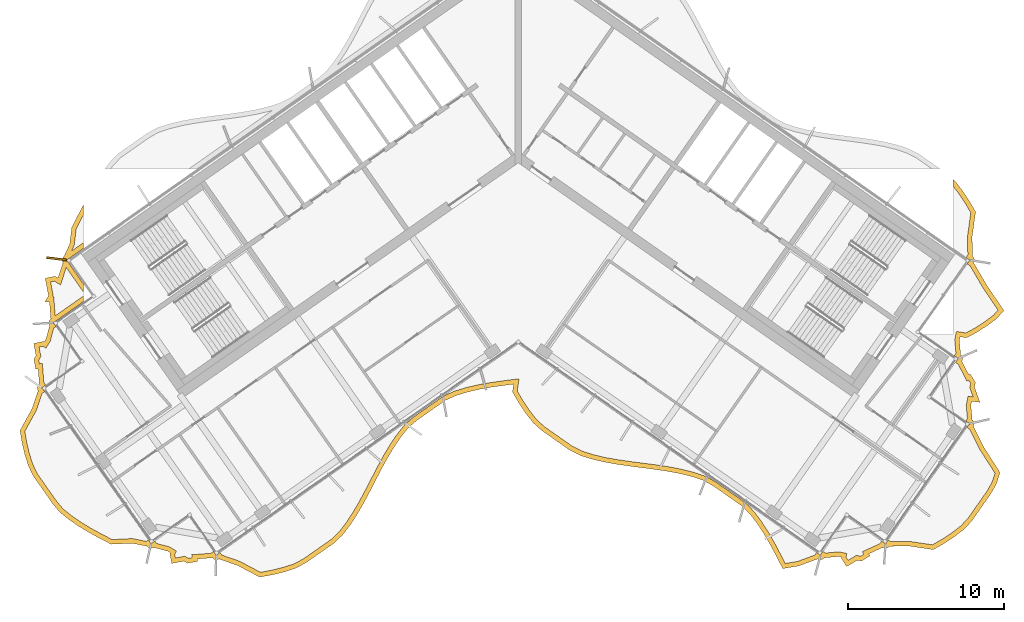
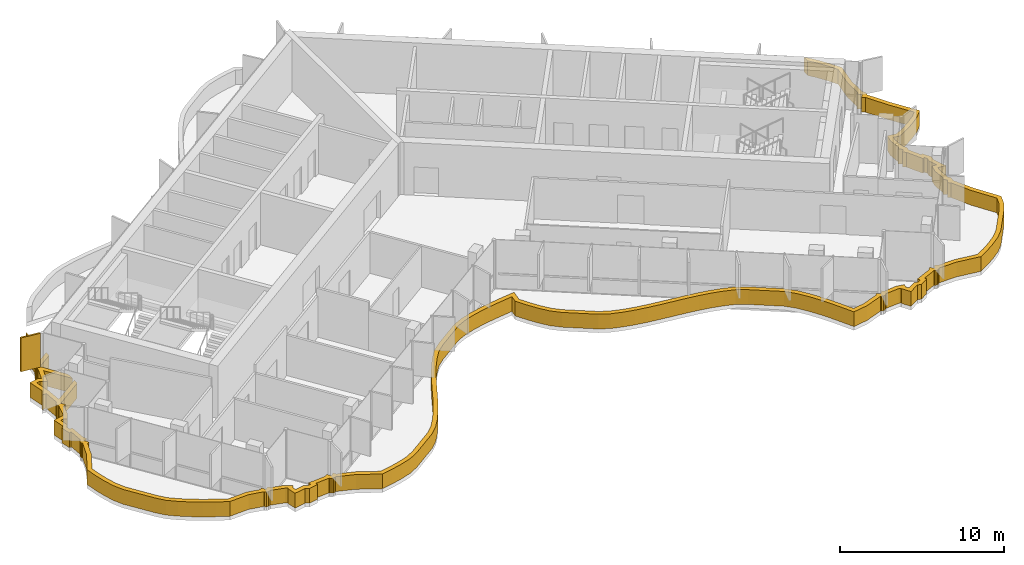
# One storey, part 14 of 18: 2 shading devices.
"""IFC4 building model written with IfcOpenShell, lengths in metres."""

from ifc_helpers import new_model, si_unit, direction, frame, origin, origin_2d, place, context, subcontext, project, spatial, polyline, rectangle, outline, extrude, material, layer, layer_set, type_object, element, save


model = new_model("IFC4")

# Units and contexts
model_context = context("Model", 3, precision=1e-05, world=origin(), true_north=direction((0.0, 1.0)))
body_context = subcontext(model_context, "Body", "Model", "MODEL_VIEW")
ifc_project = project(units=[si_unit("LENGTHUNIT", "METRE"), si_unit("AREAUNIT", "SQUARE_METRE"), si_unit("VOLUMEUNIT", "CUBIC_METRE"), si_unit("PLANEANGLEUNIT", "RADIAN"), si_unit("MASSUNIT", "GRAM", prefix="KILO")], contexts=[model_context])

# Site, building, storey
site_placement = place(None, origin())
site = spatial("IfcSite", under=ifc_project, at=site_placement, CompositionType="ELEMENT")
building_placement = place(site_placement, origin())
building = spatial("IfcBuilding", under=site, at=building_placement, Name="Tel Ilan Convention Tower", CompositionType="ELEMENT")
storey_placement = place(building_placement, frame((0.0, 0.0, 303.39990234375)))
storey = spatial("IfcBuildingStorey", under=building, at=storey_placement, Name="L72", CompositionType="ELEMENT", Elevation=303.39990234375)

# Shading devices
ifc_material_1 = material(Name="Aluminium, bronze anodised", Category="aluminium")
ifc_layer_1 = layer(ifc_material_1, 0.1201171875)
ifc_layer_set_1 = layer_set([ifc_layer_1], Name="FIN BRONZE 1300x120")
shading_device_type_1 = type_object("IfcShadingDeviceType", Name="FIN BRONZE 1300x120", PredefinedType="USERDEFINED", material=ifc_layer_set_1)
shading_device_1_placement = place(storey_placement, frame((-29.60595703125, -7.376953125, 1.10009765625), z_axis=(0.0, 0.0, 1.0), x_axis=(-0.992066016082, 0.125718016748, 0.0)))
element("IfcShadingDevice", 1, at=shading_device_1_placement, inside=storey, type_object=shading_device_type_1, Name="FIN", ObjectType="FIN", PredefinedType="USERDEFINED", context=body_context, shape_type="SweptSolid", body=[
    extrude(rectangle(XDim=1.300048828125, YDim=0.1201171875, at=origin_2d()), origin(), (0.0, 0.0, 1.0), 2.52001953125),
])
ifc_material_2 = material(Name="Aluminium, bronze anodised", Category="aluminium")
ifc_layer_2 = layer(ifc_material_2, 0.300048828125)
ifc_layer_set_2 = layer_set([ifc_layer_2], Name="LOUVRE BAND 300x1100")
shading_device_type_2 = type_object("IfcShadingDeviceType", Name="LOUVRE BAND 300x1100", PredefinedType="USERDEFINED", material=ifc_layer_set_2)
shading_device_2_placement = place(storey_placement, origin())
element("IfcShadingDevice", 2, at=shading_device_2_placement, inside=storey, type_object=shading_device_type_2, Name="LOUVRE BAND 54.01", ObjectType="LOUVRE", PredefinedType="USERDEFINED", context=body_context, shape_type="SweptSolid", body=[
    extrude(outline(polyline([(-31.176513671875, -16.968505859375), (-31.955078125, -18.389892578125), (-31.82470703125, -19.17431640625), (-31.646728515625, -19.92578125), (-31.42236328125, -20.644775390625), (-31.108154296875, -21.301025390625), (-29.873291015625, -23.064697265625), (-29.4140625, -23.619140625), (-28.832275390625, -24.087890625), (-28.201171875, -24.52197265625), (-27.530029296875, -24.92822265625), (-26.829833984375, -25.31396484375), (-26.1044921875, -25.68212890625), (-24.7607421875, -25.617431640625), (-23.79052734375, -25.81396484375), (-23.761474609375, -25.857421875), (-23.6640625, -25.92236328125), (-23.54931640625, -25.9453125), (-23.4345703125, -25.92236328125), (-23.380615234375, -25.88623046875), (-22.478759765625, -26.1279296875), (-22.322998046875, -26.222900390625), (-22.353271484375, -26.272705078125), (-22.220703125, -26.912353515625), (-21.43505859375, -26.76416015625), (-21.201171875, -26.90673828125), (-20.5615234375, -26.77392578125), (-20.58935546875, -26.627197265625), (-19.6123046875, -26.55078125), (-19.583251953125, -26.593994140625), (-19.486083984375, -26.6591796875), (-19.37109375, -26.681884765625), (-19.25634765625, -26.6591796875), (-19.202392578125, -26.623046875), (-18.00830078125, -27.0400390625), (-16.57958984375, -27.7919921875), (-15.780029296875, -27.645263671875), (-15.009521484375, -27.45751953125), (-14.274169921875, -27.219482421875), (-13.616943359375, -26.86962890625), (-11.80078125, -25.597900390625), (-11.26025390625, -25.08154296875), (-10.789306640625, -24.465576171875), (-10.352783203125, -23.800537109375), (-9.943359375, -23.09716796875), (-9.552001953125, -22.367431640625), (-8.785888671875, -20.885009765625), (-8.39111328125, -20.160400390625), (-7.97607421875, -19.464599609375), (-7.532470703125, -18.81005859375), (-7.052734375, -18.20654296875), (-6.48681640625, -17.7265625), (-4.670654296875, -16.454833984375), (-3.987060546875, -16.142822265625), (-3.242919921875, -15.9169921875), (-2.46533203125, -15.739501953125), (-1.66162109375, -15.598876953125), (-0.30078125, -15.41357421875), (-0.370361328125, -15.923828125), (0.041015625, -16.624755859375), (0.481201171875, -17.28466796875), (0.956298828125, -17.894287109375), (1.509765625, -18.392333984375), (3.325927734375, -19.663818359375), (3.99609375, -19.9951171875), (4.73583984375, -20.22705078125), (5.510009765625, -20.40966796875), (6.311279296875, -20.553955078125), (7.130615234375, -20.672119140625), (8.785888671875, -20.885009765625), (9.601806640625, -21.008056640625), (10.3974609375, -21.16015625), (11.16455078125, -21.353271484375), (11.8955078125, -21.59765625), (12.540283203125, -21.965087890625), (14.356201171875, -23.23681640625), (14.88330078125, -23.7724609375), (15.349853515625, -24.39453125), (15.782958984375, -25.064453125), (16.18994140625, -25.771728515625), (16.57958984375, -26.50341796875), (16.96240234375, -27.2451171875), (17.983642578125, -27.074951171875), (19.202392578125, -26.623046875), (19.25634765625, -26.6591796875), (19.37109375, -26.681884765625), (19.486083984375, -26.6591796875), (19.583251953125, -26.593994140625), (19.6123046875, -26.55078125), (20.542236328125, -26.469482421875), (20.72119140625, -26.50537109375), (20.709716796875, -26.5625), (21.052978515625, -27.1181640625), (21.740478515625, -26.710205078125), (22.00927734375, -26.76416015625), (22.564697265625, -26.420654296875), (22.488525390625, -26.292236328125), (23.380615234375, -25.88623046875), (23.4345703125, -25.92236328125), (23.54931640625, -25.9453125), (23.6640625, -25.92236328125), (23.761474609375, -25.857421875), (23.79052734375, -25.81396484375), (25.015625, -25.789306640625), (26.617919921875, -26.0283203125), (27.311767578125, -25.631591796875), (27.9609375, -25.203369140625), (28.5625, -24.741943359375), (29.068603515625, -24.213623046875), (30.31298828125, -22.436767578125), (30.669189453125, -21.803466796875), (30.8984375, -21.081298828125), (29.872314453125, -19.47998046875), (29.18212890625, -18.114013671875), (29.218017578125, -18.06005859375), (29.240966796875, -17.9453125), (29.218017578125, -17.830322265625), (29.153076171875, -17.733154296875), (29.10986328125, -17.7041015625), (29.028564453125, -16.774169921875), (29.080322265625, -16.5166015625), (29.61181640625, -16.583740234375), (29.26171875, -15.613037109375), (29.3232421875, -15.30712890625), (28.979736328125, -14.751708984375), (28.889404296875, -14.80517578125), (28.4453125, -13.935791015625), (28.4814453125, -13.8818359375), (28.504150390625, -13.76708984375), (28.4814453125, -13.652099609375), (28.416259765625, -13.554931640625), (28.373046875, -13.52587890625), (28.291748046875, -12.595947265625), (28.33642578125, -12.373291015625), (28.752685546875, -12.44189453125), (29.445068359375, -12.072265625), (30.077880859375, -11.660888671875), (30.66748046875, -11.218994140625), (31.151123046875, -10.703125), (30.056640625, -9.082275390625), (29.199951171875, -7.6279296875), (29.236083984375, -7.57373046875), (29.2587890625, -7.458984375), (29.236083984375, -7.34423828125), (29.1708984375, -7.246826171875), (29.127685546875, -7.218017578125), (29.10986328125, -5.95947265625), (29.331298828125, -4.35888671875), (28.922119140625, -3.659423828125), (28.48388671875, -3.001220703125), (28.0107421875, -2.392822265625), (27.874755859375, -2.269287109375), (27.874755859375, -2.70654296875), (28.240234375, -3.176513671875), (28.66748046875, -3.818359375), (29.02001953125, -4.420654296875), (28.809326171875, -5.941162109375), (28.829345703125, -7.12109375), (28.713134765625, -7.286865234375), (28.958740234375, -7.458984375), (28.787353515625, -7.705322265625), (28.97900390625, -7.83935546875), (29.802734375, -9.2421875), (30.7685546875, -10.672607421875), (30.466552734375, -10.99462890625), (29.906005859375, -11.414794921875), (29.292236328125, -11.813720703125), (28.701171875, -12.12939453125), (28.099365234375, -12.0302734375), (27.989013671875, -12.579833984375), (28.067626953125, -13.439208984375), (27.95849609375, -13.594970703125), (28.204345703125, -13.76708984375), (28.03271484375, -14.01318359375), (28.21630859375, -14.141845703125), (28.766845703125, -15.226806640625), (28.87939453125, -15.159912109375), (29.005859375, -15.3642578125), (28.951171875, -15.635986328125), (29.163330078125, -16.224853515625), (28.841064453125, -16.18408203125), (28.725830078125, -16.758056640625), (28.80419921875, -17.617431640625), (28.6953125, -17.773193359375), (28.94091796875, -17.9453125), (28.76953125, -18.19140625), (28.95263671875, -18.319580078125), (29.611328125, -19.62890625), (30.56982421875, -21.12451171875), (30.392578125, -21.68310546875), (30.05859375, -22.276611328125), (28.836181640625, -24.022705078125), (28.36181640625, -24.517822265625), (27.78662109375, -24.958740234375), (27.154541015625, -25.3759765625), (26.559326171875, -25.71630859375), (25.034423828125, -25.48876953125), (23.886474609375, -25.51513671875), (23.721435546875, -25.3994140625), (23.54931640625, -25.645263671875), (23.30322265625, -25.473876953125), (23.1787109375, -25.6513671875), (22.059326171875, -26.156982421875), (22.156494140625, -26.320556640625), (21.9521484375, -26.44677734375), (21.6865234375, -26.393310546875), (21.1533203125, -26.709716796875), (21.027099609375, -26.505615234375), (21.07421875, -26.2705078125), (20.558349609375, -26.166748046875), (19.698974609375, -26.245361328125), (19.543212890625, -26.13623046875), (19.37109375, -26.382080078125), (19.125, -26.21044921875), (19.00732421875, -26.378662109375), (17.90673828125, -26.78369140625), (17.12890625, -26.913330078125), (16.452392578125, -25.626220703125), (16.0390625, -24.908203125), (15.59619140625, -24.222900390625), (15.111328125, -23.576416015625), (14.55078125, -23.0068359375), (12.700927734375, -21.71142578125), (12.0185546875, -21.322509765625), (11.248779296875, -21.06494140625), (10.46240234375, -20.866943359375), (9.65234375, -20.712158203125), (8.827392578125, -20.587890625), (7.171142578125, -20.374755859375), (6.359375, -20.2578125), (5.571044921875, -20.11572265625), (4.815185546875, -19.9375), (4.108154296875, -19.7158203125), (3.479248046875, -19.405029296875), (1.697021484375, -18.156982421875), (1.1767578125, -17.68896484375), (0.724609375, -17.10888671875), (0.29541015625, -16.465576171875), (-0.05908203125, -15.861328125), (0.04931640625, -15.06640625), (-0.880615234375, -15.185546875), (-1.708251953125, -15.302490234375), (-2.5244140625, -15.4453125), (-3.320068359375, -15.626953125), (-4.09326171875, -15.861572265625), (-4.8203125, -16.193359375), (-6.670166015625, -17.48876953125), (-7.269287109375, -17.996826171875), (-7.7744140625, -18.632080078125), (-8.229248046875, -19.303466796875), (-8.65185546875, -20.01171875), (-9.05078125, -20.744384765625), (-9.817626953125, -22.227783203125), (-10.205322265625, -22.95068359375), (-10.608154296875, -23.642822265625), (-11.0341796875, -24.2919921875), (-11.484375, -24.880859375), (-11.991455078125, -25.365234375), (-13.77392578125, -26.61328125), (-14.3916015625, -26.942138671875), (-15.09130859375, -27.168701171875), (-15.8427734375, -27.351806640625), (-16.531494140625, -27.478271484375), (-17.888671875, -26.763916015625), (-19.009033203125, -26.3759765625), (-19.125, -26.21044921875), (-19.37109375, -26.382080078125), (-19.543212890625, -26.13623046875), (-19.721435546875, -26.260986328125), (-20.9462890625, -26.353271484375), (-20.910888671875, -26.5400390625), (-21.146240234375, -26.5888671875), (-21.37744140625, -26.447998046875), (-21.98681640625, -26.562744140625), (-22.03564453125, -26.32763671875), (-21.91064453125, -26.122802734375), (-22.360107421875, -25.84912109375), (-23.194580078125, -25.62890625), (-23.30322265625, -25.473876953125), (-23.54931640625, -25.645263671875), (-23.721435546875, -25.3994140625), (-23.861083984375, -25.497314453125), (-24.737060546875, -25.31591796875), (-26.03955078125, -25.378662109375), (-26.689453125, -25.048828125), (-27.3798828125, -24.66845703125), (-28.038330078125, -24.27001953125), (-28.65283203125, -23.84716796875), (-29.202392578125, -23.404541015625), (-29.634521484375, -22.882568359375), (-30.84814453125, -21.149169921875), (-31.142333984375, -20.534912109375), (-31.357177734375, -19.846435546875), (-31.5302734375, -19.115234375), (-31.64208984375, -18.44287109375), (-30.900634765625, -17.08935546875), (-30.539794921875, -16.0126953125), (-30.37548828125, -15.897705078125), (-30.546875, -15.651611328125), (-30.30126953125, -15.4794921875), (-30.426025390625, -15.30126953125), (-30.518310546875, -14.076416015625), (-30.705078125, -14.11181640625), (-30.75390625, -13.876708984375), (-30.613037109375, -13.645263671875), (-30.727783203125, -13.035888671875), (-30.49267578125, -12.9873046875), (-30.287841796875, -13.112060546875), (-30.01416015625, -12.66259765625), (-29.7939453125, -11.828125), (-29.63818359375, -11.71923828125), (-29.810302734375, -11.473388671875), (-27.874755859375, -10.1181640625), (-27.874755859375, -9.751953125), (-29.696533203125, -11.027587890625), (-29.7880859375, -9.810302734375), (-29.82568359375, -9.812744140625), (-29.814697265625, -9.793212890625), (-29.9912109375, -8.85791015625), (-29.756103515625, -8.80908203125), (-29.352783203125, -9.0546875), (-28.9892578125, -7.938720703125), (-27.874755859375, -9.530029296875), (-27.874755859375, -9.007080078125), (-28.958740234375, -7.458984375), (-27.874755859375, -6.699951171875), (-27.874755859375, -6.333740234375), (-28.640380859375, -6.869873046875), (-28.480224609375, -6.525634765625), (-28.343994140625, -5.44384765625), (-27.874755859375, -4.536376953125), (-27.874755859375, -3.881103515625), (-28.635009765625, -5.353271484375), (-28.772216796875, -6.441650390625), (-29.127685546875, -7.218017578125), (-29.1708984375, -7.246826171875), (-29.236083984375, -7.34423828125), (-29.2587890625, -7.458984375), (-29.236083984375, -7.57373046875), (-29.199951171875, -7.6279296875), (-29.5205078125, -8.60107421875), (-29.700927734375, -8.4912109375), (-30.340576171875, -8.6240234375), (-30.1298828125, -9.741455078125), (-30.358642578125, -10.1484375), (-30.06494140625, -10.129150390625), (-29.97900390625, -11.232421875), (-30.0224609375, -11.26123046875), (-30.08740234375, -11.358642578125), (-30.1103515625, -11.473388671875), (-30.08740234375, -11.588134765625), (-30.05126953125, -11.64208984375), (-30.29296875, -12.5439453125), (-30.387939453125, -12.69970703125), (-30.437744140625, -12.66943359375), (-31.0771484375, -12.80224609375), (-30.92919921875, -13.587646484375), (-31.07177734375, -13.821533203125), (-30.93896484375, -14.461181640625), (-30.792236328125, -14.433349609375), (-30.7158203125, -15.410400390625), (-30.759033203125, -15.439453125), (-30.82421875, -15.536865234375), (-30.846923828125, -15.651611328125), (-30.82421875, -15.766357421875), (-30.7880859375, -15.8203125), (-31.176513671875, -16.968505859375)])), origin(), (0.0, 0.0, 1.0), 1.10009765625),
])

save(model, "model.ifc")
